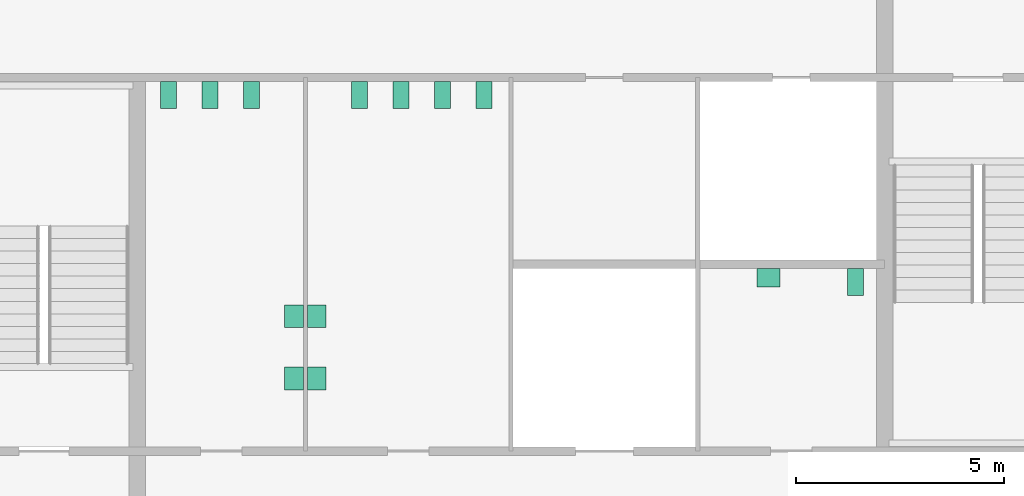
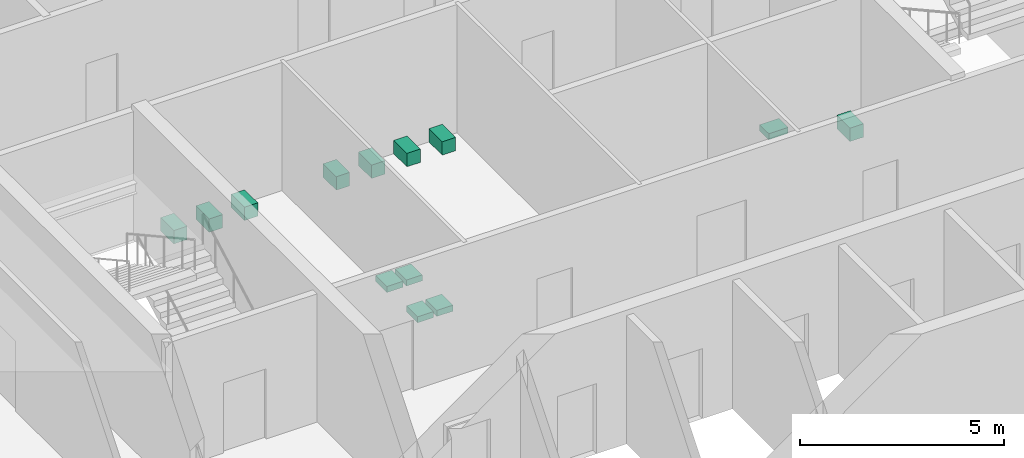
# One storey, part 14 of 14: 13 sanitary terminals.
"""IFC4 building model written with IfcOpenShell, lengths in metres."""

from ifc_helpers import new_model, si_unit, direction, frame, origin, origin_2d, place, context, subcontext, project, spatial, rectangle, extrude, material, type_object, element, save


model = new_model("IFC4")

# Units and contexts
model_context = context("Model", 3, precision=1e-05, world=origin(), true_north=direction((0.0, 1.0)))
body_context = subcontext(model_context, "Body", "Model", "MODEL_VIEW")
ifc_project = project(units=[si_unit("LENGTHUNIT", "METRE"), si_unit("AREAUNIT", "SQUARE_METRE"), si_unit("VOLUMEUNIT", "CUBIC_METRE"), si_unit("PLANEANGLEUNIT", "RADIAN"), si_unit("MASSUNIT", "GRAM", prefix="KILO")], contexts=[model_context])

# Site, building, storey
site_placement = place(None, origin())
site = spatial("IfcSite", under=ifc_project, at=site_placement, CompositionType="ELEMENT")
building_placement = place(site_placement, origin())
building = spatial("IfcBuilding", under=site, at=building_placement, Name="Corais Broadcast Tower", CompositionType="ELEMENT")
storey_placement = place(building_placement, frame((0.0, 0.0, 230.60009765625)))
storey = spatial("IfcBuildingStorey", under=building, at=storey_placement, Name="L53", CompositionType="ELEMENT", Elevation=230.60009765625)

# Sanitary terminals
ifc_material_1 = material(Name="Vitreous china", Category="ceramic")
sanitary_terminal_type_1 = type_object("IfcSanitaryTerminalType", Name="WC pan 380x650", PredefinedType="TOILETPAN", material=ifc_material_1)
for number, where, z_axis, x_axis, name in (
    (1, (18.75, 31.074951171875, 0.0), (0.0, 0.0, 1.0), (1.0, 0.0, 0.0), "SW1 WC pan, male toilets L53"),
    (2, (19.75, 31.074951171875, 0.0), (0.0, 0.0, 1.0), (1.0, 0.0, 0.0), "SW1 WC pan, male toilets L53"),
    (3, (20.75, 31.074951171875, 0.0), (0.0, 0.0, 1.0), (1.0, 0.0, 0.0), "SW1 WC pan, male toilets L53"),
    (4, (23.35009765625, 31.074951171875, 0.0), (0.0, 0.0, 1.0), (1.0, 0.0, 0.0), "SW1 WC pan, female toilets L53"),
    (5, (24.35009765625, 31.074951171875, 0.0), (0.0, 0.0, 1.0), (1.0, 0.0, 0.0), "SW1 WC pan, female toilets L53"),
    (6, (25.35009765625, 31.074951171875, 0.0), (0.0, 0.0, 1.0), (1.0, 0.0, 0.0), "SW1 WC pan, female toilets L53"),
    (7, (26.35009765625, 31.074951171875, 0.0), (0.0, 0.0, 1.0), (1.0, 0.0, 0.0), "SW1 WC pan, female toilets L53"),
    (8, (35.300048828125, 26.574951171875, 0.0), (0.0, 0.0, 1.0), (1.0, 0.0, 0.0), "SW1 WC pan, accessible WC L53"),
):
    element("IfcSanitaryTerminal", number, at=place(storey_placement, frame(where, z_axis=z_axis, x_axis=x_axis)), inside=storey, type_object=sanitary_terminal_type_1, Name=name, PredefinedType="TOILETPAN", context=body_context, shape_type="SweptSolid", body=[
        extrude(rectangle(XDim=0.3798828125, YDim=0.64990234375, at=origin_2d()), origin(), (0.0, 0.0, 1.0), 0.39990234375),
    ])
ifc_material_2 = material(Name="Vitreous china", Category="ceramic")
sanitary_terminal_type_2 = type_object("IfcSanitaryTerminalType", Name="Wash basin 550x450", PredefinedType="WASHHANDBASIN", material=ifc_material_2)
for number, where, z_axis, x_axis, name in (
    (9, (21.77490234375, 24.25, 0.69970703125), (0.0, 0.0, 1.0), (1.0, 0.0, 0.0), "WB1 wash basin, male toilets L53"),
    (10, (21.77490234375, 25.75, 0.69970703125), (0.0, 0.0, 1.0), (1.0, 0.0, 0.0), "WB1 wash basin, male toilets L53"),
    (11, (22.324951171875, 24.25, 0.69970703125), (0.0, 0.0, 1.0), (1.0, 0.0, 0.0), "WB1 wash basin, female toilets L53"),
    (12, (22.324951171875, 25.75, 0.69970703125), (0.0, 0.0, 1.0), (1.0, 0.0, 0.0), "WB1 wash basin, female toilets L53"),
):
    element("IfcSanitaryTerminal", number, at=place(storey_placement, frame(where, z_axis=z_axis, x_axis=x_axis)), inside=storey, type_object=sanitary_terminal_type_2, Name=name, PredefinedType="WASHHANDBASIN", context=body_context, shape_type="SweptSolid", body=[
        extrude(rectangle(XDim=0.449951171875, YDim=0.550048828125, at=origin_2d()), origin(), (0.0, 0.0, 1.0), 0.179931640625),
    ])
sanitary_terminal_placement = place(storey_placement, frame((33.199951171875, 26.675048828125, 0.69970703125), z_axis=(0.0, 0.0, 1.0), x_axis=(1.0, 0.0, 0.0)))
element("IfcSanitaryTerminal", 13, at=sanitary_terminal_placement, inside=storey, type_object=sanitary_terminal_type_2, Name="WB1 wash basin, accessible WC L53", PredefinedType="WASHHANDBASIN", context=body_context, shape_type="SweptSolid", body=[
    extrude(rectangle(XDim=0.550048828125, YDim=0.449951171875, at=origin_2d()), origin(), (0.0, 0.0, 1.0), 0.179931640625),
])

save(model, "model.ifc")
